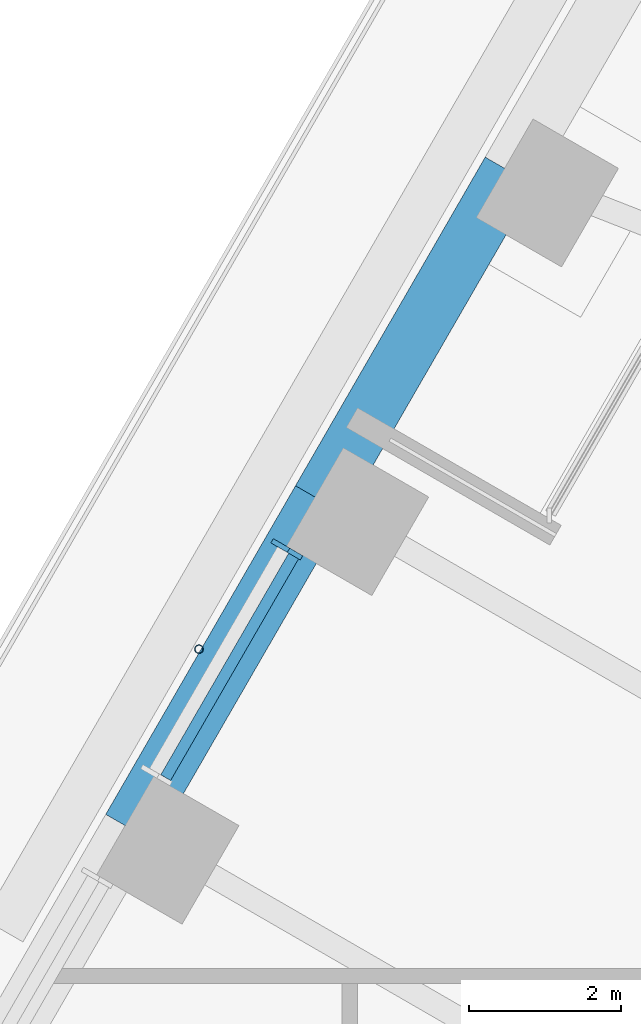
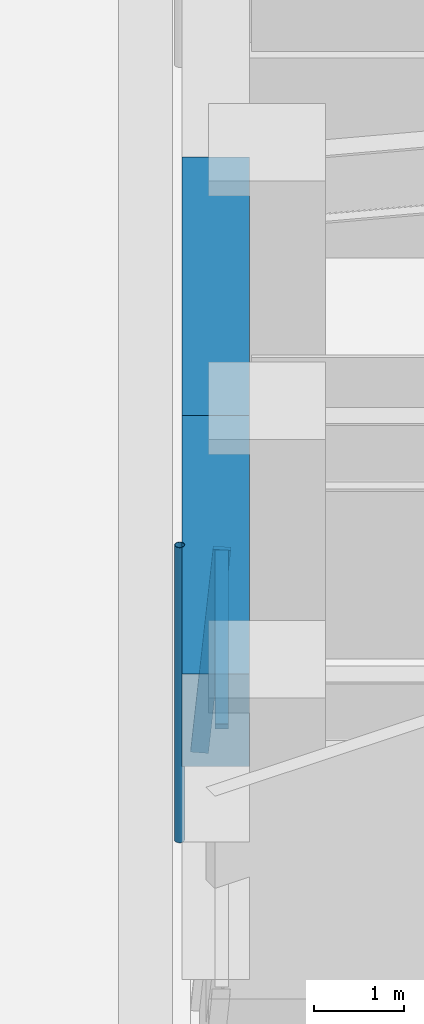
# One storey, part 7 of 24: 3 members, 2 beams, 1 element without a shape of its own.
"""IFC4 building model written with IfcOpenShell, lengths in metres."""

from ifc_helpers import new_model, si_unit, direction, frame, origin, origin_2d, place, context, subcontext, project, spatial, rectangle, hollow_circle, extrude, material, material_profile, profile_set, type_object, element, aggregate, save


model = new_model("IFC4")

# Units and contexts
model_context = context("Model", 3, precision=1e-05, world=origin(), true_north=direction((0.0, 1.0)))
body_context = subcontext(model_context, "Body", "Model", "MODEL_VIEW")
ifc_project = project(units=[si_unit("LENGTHUNIT", "METRE"), si_unit("AREAUNIT", "SQUARE_METRE"), si_unit("VOLUMEUNIT", "CUBIC_METRE"), si_unit("PLANEANGLEUNIT", "RADIAN"), si_unit("MASSUNIT", "GRAM", prefix="KILO")], contexts=[model_context])

# Site, building, storey
site_placement = place(None, origin())
site = spatial("IfcSite", under=ifc_project, at=site_placement, CompositionType="ELEMENT")
building_placement = place(site_placement, origin())
building = spatial("IfcBuilding", under=site, at=building_placement, Name="Tarfa Lantern Tower", CompositionType="ELEMENT")
storey_placement = place(building_placement, frame((0.0, 0.0, 186.699951171875)))
storey = spatial("IfcBuildingStorey", under=building, at=storey_placement, Name="L42", CompositionType="ELEMENT", Elevation=186.699951171875)

# Curtain wall, members
ifc_material_1 = material(Name="Aluminium framed curtain wall", Category="aluminium")
curtain_wall_type = type_object("IfcCurtainWallType", Name="CW2 CANTED GLAZING MID ZONE 2750", PredefinedType="USERDEFINED", material=ifc_material_1)
curtain_wall_placement = place(storey_placement, origin())
curtain_wall = element("IfcCurtainWall", 1, at=curtain_wall_placement, inside=storey, type_object=curtain_wall_type, Name="CW2 NWB L42", ObjectType="CURTAIN WALL", PredefinedType="USERDEFINED")
ifc_material_2 = material(Name="Aluminium mullion", Category="aluminium")
ifc_material_profile_1 = material_profile(ifc_material_2, rectangle(XDim=0.06494140625, YDim=0.199951171875, at=origin_2d()), Name="AL MULLION 65x200")
ifc_profile_set_1 = profile_set([ifc_material_profile_1], Name="Aluminium mullion")
member_type_1 = type_object("IfcMemberType", Name="CWM1 MULLION 65x200", PredefinedType="MULLION", material=ifc_profile_set_1)
member_1_placement = place(storey_placement, frame((-30.086181640625, 10.68896484375, 0.0), z_axis=(0.078335079308, -0.045268127094, 0.995898796073), x_axis=(0.500342721131, 0.865827443207, 0.0)))
member_1 = element("IfcMember", 2, at=member_1_placement, type_object=member_type_1, Name="CW2 mullion 1", PredefinedType="MULLION", context=body_context, shape_type="SweptSolid", body=[
    extrude(rectangle(XDim=0.06494140625, YDim=0.199951171875, at=origin_2d()), origin(), (0.0, 0.0, 1.0), 2.76123046875),
])
ifc_material_3 = material(Name="Aluminium transom", Category="aluminium")
ifc_material_profile_2 = material_profile(ifc_material_3, rectangle(XDim=0.14990234375, YDim=0.06494140625, at=origin_2d()), Name="AL TRANSOM 150x65")
ifc_profile_set_2 = profile_set([ifc_material_profile_2], Name="Aluminium transom")
member_type_2 = type_object("IfcMemberType", Name="CWT1 TRANSOM 150x65", PredefinedType="USERDEFINED", material=ifc_profile_set_2)
member_2_placement = place(storey_placement, frame((-29.888671875, 10.537353515625, 2.717529296875), z_axis=(-0.499991822116, -0.866030125237, 0.0), x_axis=(0.866030125237, -0.499991822116, 0.0)))
member_2 = element("IfcMember", 3, at=member_2_placement, type_object=member_type_2, Name="CW2 transom 1.2", ObjectType="TRANSOM", PredefinedType="USERDEFINED", context=body_context, shape_type="SweptSolid", body=[
    extrude(rectangle(XDim=0.14990234375, YDim=0.06494140625, at=origin_2d()), origin(), (0.0, 0.0, 1.0), 3.37353515625),
])
aggregate(curtain_wall, [member_1, member_2])

# Beams
ifc_material_4 = material(Name="Concrete C80/95", Category="concrete")
ifc_material_profile_3 = material_profile(ifc_material_4, rectangle(XDim=0.75, YDim=1.25, at=origin_2d()), Name="RC 750x1250")
ifc_profile_set_3 = profile_set([ifc_material_profile_3], Name="Concrete C80/95")
beam_type = type_object("IfcBeamType", Name="EB2 RC 750x1250", PredefinedType="SPANDREL", material=ifc_profile_set_3)
for number, where, z_axis, x_axis, name in (
    (4, (-27.037353515625, 15.610107421875, 3.375), (-0.499964603504, -0.866045838996, 0.0), (0.866045838996, -0.499964603504, 0.0), "Edge beam NW3"),
    (5, (-29.5390625, 11.276611328125, 3.375), (-0.500022324899, -0.866012514114, 0.0), (0.866012514114, -0.500022324899, 0.0), "Edge beam NW4"),
):
    element("IfcBeam", number, at=place(storey_placement, frame(where, z_axis=z_axis, x_axis=x_axis)), inside=storey, type_object=beam_type, Name=name, PredefinedType="SPANDREL", context=body_context, shape_type="SweptSolid", body=[
        extrude(rectangle(XDim=0.75, YDim=1.25, at=origin_2d()), origin(), (0.0, 0.0, 1.0), 5.003662109375),
    ])

# Member
ifc_material_5 = material(Name="Steel S355", Category="steel")
ifc_material_profile_4 = material_profile(ifc_material_5, hollow_circle(Radius=0.05712890625, WallThickness=0.00634765625, at=origin_2d()), Name="CHS114.3x6.3")
ifc_profile_set_4 = profile_set([ifc_material_profile_4], Name="Steel S355")
member_type_3 = type_object("IfcMemberType", Name="TR1 GREEN WALL TRELLIS CHS114.3x6.3", PredefinedType="USERDEFINED", material=ifc_profile_set_4)
member_3_placement = place(storey_placement, frame((-31.136474609375, 9.31005859375, 0.0), z_axis=(0.0, 0.0, 1.0), x_axis=(1.0, 0.0, 0.0)))
element("IfcMember", 6, at=member_3_placement, inside=storey, type_object=member_type_3, Name="Trellis post NW 2", ObjectType="TRELLIS", PredefinedType="USERDEFINED", context=body_context, shape_type="SweptSolid", body=[
    extrude(hollow_circle(Radius=0.05712890625, WallThickness=0.00634765625, at=origin_2d()), origin(), (0.0, 0.0, 1.0), 4.0),
])

save(model, "model.ifc")
